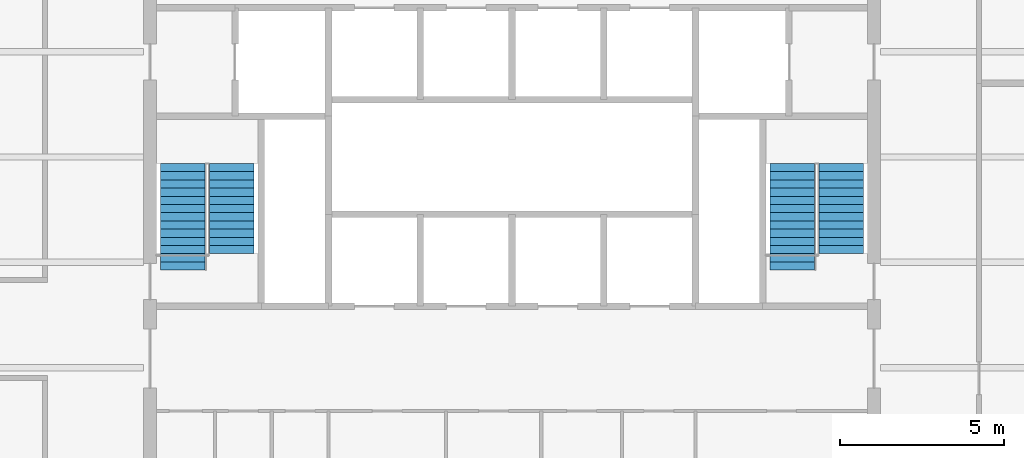
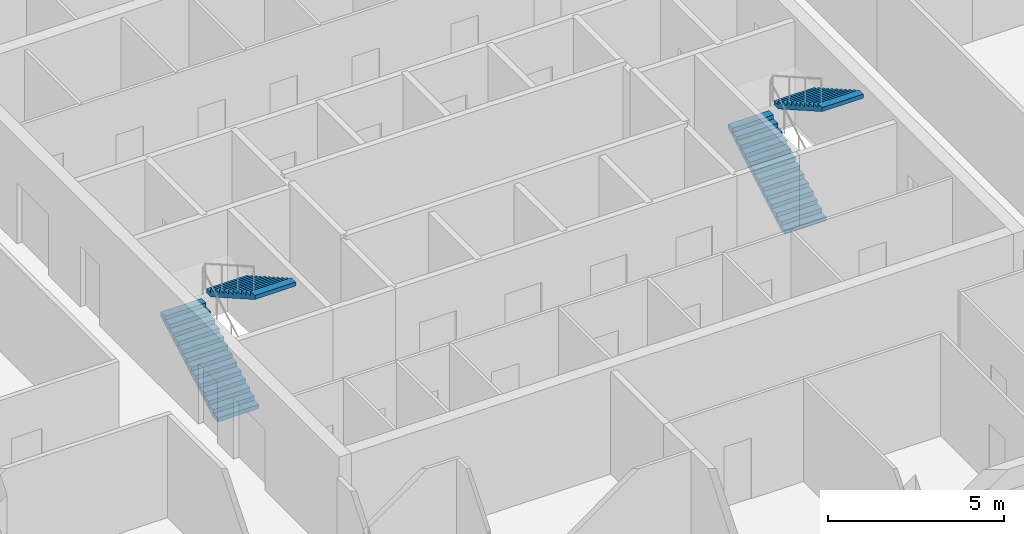
# One storey, part 9 of 10: 4 stair flights, 2 elements without a shape of their own.
"""IFC4 building model written with IfcOpenShell, lengths in metres."""

from ifc_helpers import new_model, si_unit, direction, frame, origin, place, context, subcontext, project, spatial, polyline, outline, extrude, material, type_object, element, aggregate, save


model = new_model("IFC4")

# Units and contexts
model_context = context("Model", 3, precision=1e-05, world=origin(), true_north=direction((0.0, 1.0)))
body_context = subcontext(model_context, "Body", "Model", "MODEL_VIEW")
ifc_project = project(units=[si_unit("LENGTHUNIT", "METRE"), si_unit("AREAUNIT", "SQUARE_METRE"), si_unit("VOLUMEUNIT", "CUBIC_METRE"), si_unit("PLANEANGLEUNIT", "RADIAN"), si_unit("MASSUNIT", "GRAM", prefix="KILO")], contexts=[model_context])

# Site, building, storey
site_placement = place(None, origin())
site = spatial("IfcSite", under=ifc_project, at=site_placement, CompositionType="ELEMENT")
building_placement = place(site_placement, origin())
building = spatial("IfcBuilding", under=site, at=building_placement, Name="Quoin Convention Tower", CompositionType="ELEMENT")
storey_placement = place(building_placement, frame((0.0, 0.0, 234.10009765625)))
storey = spatial("IfcBuildingStorey", under=building, at=storey_placement, Name="L61", CompositionType="ELEMENT", Elevation=234.10009765625)

# Stair, stair flights
ifc_material = material(Name="Concrete C40", Category="concrete")
stair_type = type_object("IfcStairType", Name="Exit stair two-flight 1350", PredefinedType="HALF_TURN_STAIR", material=ifc_material)
stair_1_placement = place(storey_placement, origin())
stair_1 = element("IfcStair", 1, at=stair_1_placement, inside=storey, type_object=stair_type, Name="SD1 L61", PredefinedType="HALF_TURN_STAIR")
stair_flight_type = type_object("IfcStairFlightType", Name="Stair flight 1350", PredefinedType="STRAIGHT", material=ifc_material)
stair_flight_1_placement = place(storey_placement, frame((46.199951171875, 57.300048828125, 0.0), z_axis=(0.0, 0.0, 1.0), x_axis=(0.0, 1.0, 0.0)))
stair_flight_1 = element("IfcStairFlight", 2, at=stair_flight_1_placement, type_object=stair_flight_type, Name="ST1 flight 1", NumberOfRisers=14, NumberOfTreads=13, PredefinedType="STRAIGHT", RiserHeight=0.142307692, TreadLength=0.25, context=body_context, shape_type="SweptSolid", body=[
    extrude(outline(polyline([(0.0, 0.0), (0.0, 0.142333984375), (0.25, 0.142333984375), (0.25, 0.28466796875), (0.5, 0.28466796875), (0.5, 0.427001953125), (0.75, 0.427001953125), (0.75, 0.5693359375), (1.0, 0.5693359375), (1.0, 0.71142578125), (1.25, 0.71142578125), (1.25, 0.853759765625), (1.5, 0.853759765625), (1.5, 0.99609375), (1.75, 0.99609375), (1.75, 1.138427734375), (2.0, 1.138427734375), (2.0, 1.28076171875), (2.25, 1.28076171875), (2.25, 1.423095703125), (2.5, 1.423095703125), (2.5, 1.5654296875), (2.75, 1.5654296875), (2.75, 1.707763671875), (3.0, 1.707763671875), (3.0, 1.85009765625), (3.25, 1.85009765625), (3.25, 1.9921875), (3.25, 1.711669921875), (0.242919921875, 0.0), (0.0, 0.0)])), frame((0.0, 0.675048828125, 0.0), z_axis=(0.0, -1.0, 0.0), x_axis=(1.0, 0.0, 0.0)), (0.0, 0.0, 1.0), 1.35009765625),
])
stair_flight_2_placement = place(storey_placement, frame((47.699951171875, 60.550048828125, 1.9921875), z_axis=(0.0, 0.0, 1.0), x_axis=(0.0, -1.0, 0.0)))
stair_flight_2 = element("IfcStairFlight", 3, at=stair_flight_2_placement, type_object=stair_flight_type, Name="ST1 flight 2", NumberOfRisers=12, NumberOfTreads=11, PredefinedType="STRAIGHT", RiserHeight=0.142307692, TreadLength=0.25, context=body_context, shape_type="SweptSolid", body=[
    extrude(outline(polyline([(0.0, 0.0), (0.0, 0.142333984375), (0.25, 0.142333984375), (0.25, 0.28466796875), (0.5, 0.28466796875), (0.5, 0.427001953125), (0.75, 0.427001953125), (0.75, 0.5693359375), (1.0, 0.5693359375), (1.0, 0.71142578125), (1.25, 0.71142578125), (1.25, 0.853759765625), (1.5, 0.853759765625), (1.5, 0.99609375), (1.75, 0.99609375), (1.75, 1.138427734375), (2.0, 1.138427734375), (2.0, 1.28076171875), (2.25, 1.28076171875), (2.25, 1.423095703125), (2.5, 1.423095703125), (2.5, 1.5654296875), (2.75, 1.5654296875), (2.75, 1.707763671875), (2.75, 1.42724609375), (0.242919921875, 0.0), (0.0, 0.0)])), frame((0.0, 0.675048828125, 0.0), z_axis=(0.0, -1.0, 0.0), x_axis=(1.0, 0.0, 0.0)), (0.0, 0.0, 1.0), 1.35009765625),
])
aggregate(stair_1, [stair_flight_1, stair_flight_2])

stair_2_placement = place(storey_placement, origin())
stair_2 = element("IfcStair", 4, at=stair_2_placement, inside=storey, type_object=stair_type, Name="SD2 L61", PredefinedType="HALF_TURN_STAIR")
stair_flight_3_placement = place(storey_placement, frame((64.800048828125, 57.300048828125, 0.0), z_axis=(0.0, 0.0, 1.0), x_axis=(0.0, 1.0, 0.0)))
stair_flight_3 = element("IfcStairFlight", 5, at=stair_flight_3_placement, type_object=stair_flight_type, Name="ST2 flight 1", NumberOfRisers=14, NumberOfTreads=13, PredefinedType="STRAIGHT", RiserHeight=0.142307692, TreadLength=0.25, context=body_context, shape_type="SweptSolid", body=[
    extrude(outline(polyline([(0.0, 0.0), (0.0, 0.142333984375), (0.25, 0.142333984375), (0.25, 0.28466796875), (0.5, 0.28466796875), (0.5, 0.427001953125), (0.75, 0.427001953125), (0.75, 0.5693359375), (1.0, 0.5693359375), (1.0, 0.71142578125), (1.25, 0.71142578125), (1.25, 0.853759765625), (1.5, 0.853759765625), (1.5, 0.99609375), (1.75, 0.99609375), (1.75, 1.138427734375), (2.0, 1.138427734375), (2.0, 1.28076171875), (2.25, 1.28076171875), (2.25, 1.423095703125), (2.5, 1.423095703125), (2.5, 1.5654296875), (2.75, 1.5654296875), (2.75, 1.707763671875), (3.0, 1.707763671875), (3.0, 1.85009765625), (3.25, 1.85009765625), (3.25, 1.9921875), (3.25, 1.711669921875), (0.242919921875, 0.0), (0.0, 0.0)])), frame((0.0, 0.675048828125, 0.0), z_axis=(0.0, -1.0, 0.0), x_axis=(1.0, 0.0, 0.0)), (0.0, 0.0, 1.0), 1.35009765625),
])
stair_flight_4_placement = place(storey_placement, frame((66.300048828125, 60.550048828125, 1.9921875), z_axis=(0.0, 0.0, 1.0), x_axis=(0.0, -1.0, 0.0)))
stair_flight_4 = element("IfcStairFlight", 6, at=stair_flight_4_placement, type_object=stair_flight_type, Name="ST2 flight 2", NumberOfRisers=12, NumberOfTreads=11, PredefinedType="STRAIGHT", RiserHeight=0.142307692, TreadLength=0.25, context=body_context, shape_type="SweptSolid", body=[
    extrude(outline(polyline([(0.0, 0.0), (0.0, 0.142333984375), (0.25, 0.142333984375), (0.25, 0.28466796875), (0.5, 0.28466796875), (0.5, 0.427001953125), (0.75, 0.427001953125), (0.75, 0.5693359375), (1.0, 0.5693359375), (1.0, 0.71142578125), (1.25, 0.71142578125), (1.25, 0.853759765625), (1.5, 0.853759765625), (1.5, 0.99609375), (1.75, 0.99609375), (1.75, 1.138427734375), (2.0, 1.138427734375), (2.0, 1.28076171875), (2.25, 1.28076171875), (2.25, 1.423095703125), (2.5, 1.423095703125), (2.5, 1.5654296875), (2.75, 1.5654296875), (2.75, 1.707763671875), (2.75, 1.42724609375), (0.242919921875, 0.0), (0.0, 0.0)])), frame((0.0, 0.675048828125, 0.0), z_axis=(0.0, -1.0, 0.0), x_axis=(1.0, 0.0, 0.0)), (0.0, 0.0, 1.0), 1.35009765625),
])
aggregate(stair_2, [stair_flight_3, stair_flight_4])

save(model, "model.ifc")
